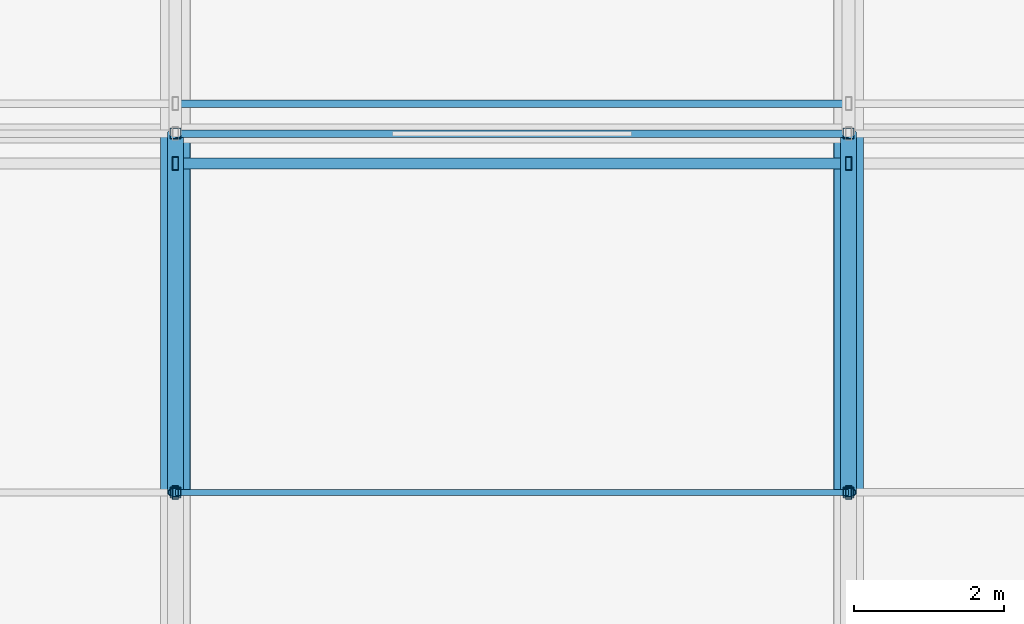
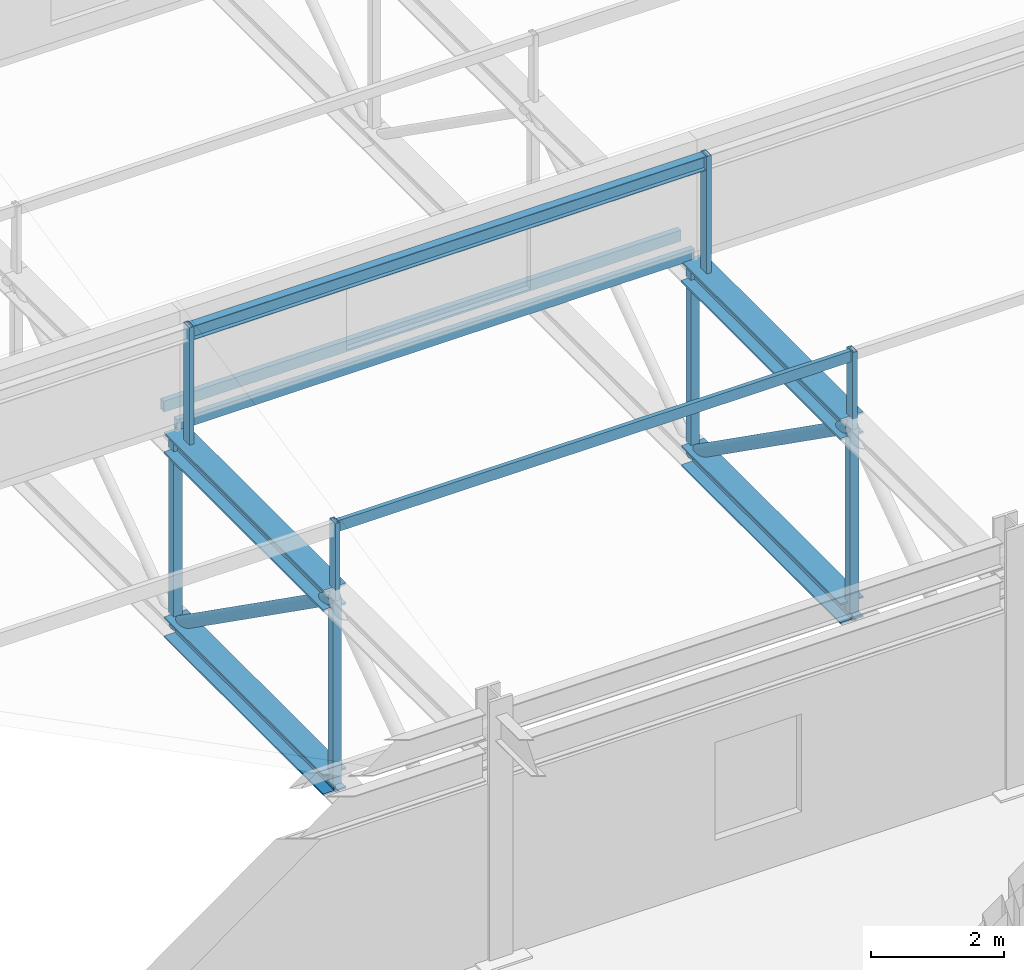
# One storey, part 22 of 136: 14 members, 4 beams.
"""IFC4 building model written with IfcOpenShell, lengths in metres."""

from ifc_helpers import new_model, si_unit, direction, frame, origin, origin_2d, place, context, subcontext, project, spatial, hollow_rectangle, hollow_circle, i_section, u_section, extrude, material, material_profile, profile_set, type_object, element, save


model = new_model("IFC4")

# Units and contexts
model_context = context("Model", 3, precision=1e-05, world=origin(), true_north=direction((0.0, 1.0)))
body_context = subcontext(model_context, "Body", "Model", "MODEL_VIEW")
ifc_project = project(units=[si_unit("LENGTHUNIT", "METRE"), si_unit("AREAUNIT", "SQUARE_METRE"), si_unit("VOLUMEUNIT", "CUBIC_METRE"), si_unit("PLANEANGLEUNIT", "RADIAN"), si_unit("MASSUNIT", "GRAM", prefix="KILO")], contexts=[model_context])

# Site, building, storey
site_placement = place(None, origin())
site = spatial("IfcSite", under=ifc_project, at=site_placement, CompositionType="ELEMENT")
building_placement = place(site_placement, origin())
building = spatial("IfcBuilding", under=site, at=building_placement, Name="Kisiwana Market Hall", CompositionType="ELEMENT")
storey_placement = place(building_placement, frame((0.0, 0.0, 16.800048828125)))
storey = spatial("IfcBuildingStorey", under=building, at=storey_placement, Name="L03", CompositionType="ELEMENT", Elevation=16.800048828125)

# Beams
ifc_material_1 = material(Name="Steel S355", Category="steel")
ifc_material_profile_1 = material_profile(ifc_material_1, i_section(OverallWidth=0.394775390625, OverallDepth=0.381103515625, WebThickness=0.018310546875, FlangeThickness=0.0302734375, at=origin_2d()), Name="UC 356x406x235")
ifc_profile_set_1 = profile_set([ifc_material_profile_1], Name="Steel S355")
beam_type_1 = type_object("IfcBeamType", Name="BM-TRUSS-BOT", PredefinedType="USERDEFINED", material=ifc_profile_set_1)
for number, where, z_axis, x_axis, name in (
    (1, (81.0, 40.800048828125, 0.22998046875), (0.0, 1.0, 0.0), (-1.0, 0.0, 0.0), "TR-03 BC panel 2 B-1219"),
    (2, (90.0, 40.800048828125, 0.22998046875), (0.0, 1.0, 0.0), (-1.0, 0.0, 0.0), "TR-04 BC panel 2 B-1239"),
):
    element("IfcBeam", number, at=place(storey_placement, frame(where, z_axis=z_axis, x_axis=x_axis)), inside=storey, type_object=beam_type_1, Name=name, ObjectType="ROOF TRUSS", PredefinedType="USERDEFINED", context=body_context, shape_type="SweptSolid", body=[
        extrude(i_section(OverallWidth=0.394775390625, OverallDepth=0.381103515625, WebThickness=0.018310546875, FlangeThickness=0.0302734375, at=origin_2d()), origin(), (0.0, 0.0, 1.0), 4.800048828125),
    ])
ifc_material_2 = material(Name="Steel S355", Category="steel")
ifc_material_profile_2 = material_profile(ifc_material_2, i_section(OverallWidth=0.39892578125, OverallDepth=0.3935546875, WebThickness=0.022705078125, FlangeThickness=0.03662109375, at=origin_2d()), Name="UC 356x406x287")
ifc_profile_set_2 = profile_set([ifc_material_profile_2], Name="Steel S355")
beam_type_2 = type_object("IfcBeamType", Name="BM-TRUSS-TOP", PredefinedType="USERDEFINED", material=ifc_profile_set_2)
for number, where, z_axis, x_axis, name in (
    (3, (81.0, 40.800048828125, 3.619873046875), (0.0, 1.0, 0.0), (-1.0, 0.0, 0.0), "TR-03 TC panel 2 B-1229"),
    (4, (90.0, 40.800048828125, 3.619873046875), (0.0, 1.0, 0.0), (-1.0, 0.0, 0.0), "TR-04 TC panel 2 B-1249"),
):
    element("IfcBeam", number, at=place(storey_placement, frame(where, z_axis=z_axis, x_axis=x_axis)), inside=storey, type_object=beam_type_2, Name=name, ObjectType="ROOF TRUSS", PredefinedType="USERDEFINED", context=body_context, shape_type="SweptSolid", body=[
        extrude(i_section(OverallWidth=0.39892578125, OverallDepth=0.3935546875, WebThickness=0.022705078125, FlangeThickness=0.03662109375, at=origin_2d()), origin(), (0.0, 0.0, 1.0), 4.800048828125),
    ])

# Members
ifc_material_3 = material(Name="Steel S355", Category="steel")
ifc_material_profile_3 = material_profile(ifc_material_3, hollow_rectangle(XDim=0.080078125, YDim=0.179931640625, WallThickness=0.00634765625, at=origin_2d()), Name="RHS 180x80x6.3")
ifc_profile_set_3 = profile_set([ifc_material_profile_3], Name="Steel S355")
member_type_1 = type_object("IfcMemberType", Name="MB-CAN-STRUT", PredefinedType="STRUT", material=ifc_profile_set_3)
for number, where, z_axis, x_axis, name in (
    (5, (81.0, 45.199951171875, 3.619873046875), (0.0, 0.0, 1.0), (1.0, 0.0, 0.0), "Sawtooth raker post 160 M-0231"),
    (6, (90.0, 45.199951171875, 3.619873046875), (0.0, 0.0, 1.0), (1.0, 0.0, 0.0), "Sawtooth raker post 163 M-0234"),
):
    element("IfcMember", number, at=place(storey_placement, frame(where, z_axis=z_axis, x_axis=x_axis)), inside=storey, type_object=member_type_1, Name=name, PredefinedType="STRUT", context=body_context, shape_type="SweptSolid", body=[
        extrude(hollow_rectangle(XDim=0.080078125, YDim=0.179931640625, WallThickness=0.00634765625, at=origin_2d()), origin(), (0.0, 0.0, 1.0), 2.355712890625),
    ])
for number, where, z_axis, x_axis, name in (
    (7, (81.0, 40.800048828125, 3.619873046875), (0.0, 0.0, 1.0), (1.0, 0.0, 0.0), "Sawtooth mid-slope raker post 3 M-0055"),
    (8, (90.0, 40.800048828125, 3.619873046875), (0.0, 0.0, 1.0), (1.0, 0.0, 0.0), "Sawtooth mid-slope raker post 4 M-0056"),
):
    element("IfcMember", number, at=place(storey_placement, frame(where, z_axis=z_axis, x_axis=x_axis)), inside=storey, type_object=member_type_1, Name=name, PredefinedType="STRUT", context=body_context, shape_type="SweptSolid", body=[
        extrude(hollow_rectangle(XDim=0.080078125, YDim=0.179931640625, WallThickness=0.00634765625, at=origin_2d()), origin(), (0.0, 0.0, 1.0), 1.42041015625),
    ])
ifc_material_4 = material(Name="Steel S355", Category="steel")
ifc_material_profile_4 = material_profile(ifc_material_4, u_section(Depth=0.199951171875, FlangeWidth=0.074951171875, WebThickness=0.006103515625, FlangeThickness=0.012451171875, at=origin_2d()), Name="PFC 200x75x23")
ifc_profile_set_4 = profile_set([ifc_material_profile_4], Name="Steel S355")
member_type_2 = type_object("IfcMemberType", Name="MB-PURL-PFC200", PredefinedType="PURLIN", material=ifc_profile_set_4)
member_1_placement = place(storey_placement, frame((81.0, 40.800048828125, 4.936279296875), z_axis=(1.0, 0.0, 0.0), x_axis=(0.0, 1.0, 0.0)))
element("IfcMember", 9, at=member_1_placement, inside=storey, type_object=member_type_2, Name="Sawtooth mid-slope roof purlin 11 M-0093", PredefinedType="PURLIN", context=body_context, shape_type="SweptSolid", body=[
    extrude(u_section(Depth=0.199951171875, FlangeWidth=0.074951171875, WebThickness=0.006103515625, FlangeThickness=0.012451171875, at=origin_2d()), origin(), (0.0, 0.0, 1.0), 9.0),
])
ifc_material_5 = material(Name="Steel S355", Category="steel")
ifc_material_profile_5 = material_profile(ifc_material_5, hollow_rectangle(XDim=0.10009765625, YDim=0.199951171875, WallThickness=0.008056640625, at=origin_2d()), Name="RHS 200x100x8.0")
ifc_profile_set_5 = profile_set([ifc_material_profile_5], Name="Steel S355")
member_type_3 = type_object("IfcMemberType", Name="MB-ROOF-PURLIN1", PredefinedType="PURLIN", material=ifc_profile_set_5)
for number, where, z_axis, x_axis, name in (
    (10, (81.0, 45.60009765625, 3.90087890625), (1.0, 0.0, 0.0), (0.0, 1.0, 0.0), "Sawtooth roof purlin 185 M-0134"),
    (11, (81.0, 46.0, 4.0009765625), (1.0, 0.0, 0.0), (0.0, 1.0, 0.0), "Sawtooth roof purlin 228 M-0153"),
):
    element("IfcMember", number, at=place(storey_placement, frame(where, z_axis=z_axis, x_axis=x_axis)), inside=storey, type_object=member_type_3, Name=name, PredefinedType="PURLIN", context=body_context, shape_type="SweptSolid", body=[
        extrude(hollow_rectangle(XDim=0.10009765625, YDim=0.199951171875, WallThickness=0.008056640625, at=origin_2d()), origin(), (0.0, 0.0, 1.0), 9.0),
    ])
ifc_material_6 = material(Name="Steel S355", Category="steel")
ifc_material_profile_6 = material_profile(ifc_material_6, i_section(OverallWidth=0.146484375, OverallDepth=0.256103515625, WebThickness=0.00634765625, FlangeThickness=0.010986328125, at=origin_2d()), Name="UB 254x146x37")
ifc_profile_set_6 = profile_set([ifc_material_profile_6], Name="Steel S355")
member_type_4 = type_object("IfcMemberType", Name="MB-ROOF-PURLIN2", PredefinedType="PURLIN", material=ifc_profile_set_6)
member_2_placement = place(storey_placement, frame((81.0, 45.199951171875, 5.843505859375), z_axis=(1.0, 0.0, 0.0), x_axis=(0.0, 1.0, 0.0)))
element("IfcMember", 12, at=member_2_placement, inside=storey, type_object=member_type_4, Name="Sawtooth roof purlin 184 M-0133", PredefinedType="PURLIN", context=body_context, shape_type="SweptSolid", body=[
    extrude(i_section(OverallWidth=0.146484375, OverallDepth=0.256103515625, WebThickness=0.00634765625, FlangeThickness=0.010986328125, at=origin_2d()), origin(), (0.0, 0.0, 1.0), 9.0),
])
ifc_material_7 = material(Name="Steel S355", Category="steel")
ifc_material_profile_7 = material_profile(ifc_material_7, hollow_circle(Radius=0.109619140625, WallThickness=0.012451171875, at=origin_2d()), Name="CHS 219.1x12.5")
ifc_profile_set_7 = profile_set([ifc_material_profile_7], Name="Steel S355")
member_type_5 = type_object("IfcMemberType", Name="MB-TR-DIAG219", PredefinedType="BRACE", material=ifc_profile_set_7)
for number, where, z_axis, x_axis, name in (
    (13, (81.0, 40.800048828125, 3.619873046875), (0.0, 0.816837735077, -0.576867501732), (-1.0, 0.0, 0.0), "TR-03 diagonal 2 M-0375"),
    (14, (90.0, 40.800048828125, 3.619873046875), (0.0, 0.816837735077, -0.576867501732), (-1.0, 0.0, 0.0), "TR-04 diagonal 2 M-0394"),
):
    element("IfcMember", number, at=place(storey_placement, frame(where, z_axis=z_axis, x_axis=x_axis)), inside=storey, type_object=member_type_5, Name=name, PredefinedType="BRACE", context=body_context, shape_type="SweptSolid", body=[
        extrude(hollow_circle(Radius=0.109619140625, WallThickness=0.012451171875, at=origin_2d()), origin(), (0.0, 0.0, 1.0), 5.87646484375),
    ])
ifc_material_8 = material(Name="Steel S355", Category="steel")
ifc_material_profile_8 = material_profile(ifc_material_8, hollow_rectangle(XDim=0.14990234375, YDim=0.14990234375, WallThickness=0.008056640625, at=origin_2d()), Name="SHS 150x150x8.0")
ifc_profile_set_8 = profile_set([ifc_material_profile_8], Name="Steel S355")
member_type_6 = type_object("IfcMemberType", Name="MB-TR-STRUT200", PredefinedType="STRUT", material=ifc_profile_set_8)
for number, where, z_axis, x_axis, name in (
    (15, (81.0, 40.800048828125, 0.22998046875), (0.0, 0.0, 1.0), (1.0, 0.0, 0.0), "TR-03 vertical strut 2 M-0384"),
    (16, (81.0, 45.60009765625, 0.22998046875), (0.0, 0.0, 1.0), (1.0, 0.0, 0.0), "TR-03 vertical strut 3 M-0385"),
    (17, (90.0, 40.800048828125, 0.22998046875), (0.0, 0.0, 1.0), (1.0, 0.0, 0.0), "TR-04 vertical strut 2 M-0403"),
    (18, (90.0, 45.60009765625, 0.22998046875), (0.0, 0.0, 1.0), (1.0, 0.0, 0.0), "TR-04 vertical strut 3 M-0404"),
):
    element("IfcMember", number, at=place(storey_placement, frame(where, z_axis=z_axis, x_axis=x_axis)), inside=storey, type_object=member_type_6, Name=name, PredefinedType="STRUT", context=body_context, shape_type="SweptSolid", body=[
        extrude(hollow_rectangle(XDim=0.14990234375, YDim=0.14990234375, WallThickness=0.008056640625, at=origin_2d()), origin(), (0.0, 0.0, 1.0), 3.389892578125),
    ])

save(model, "model.ifc")
